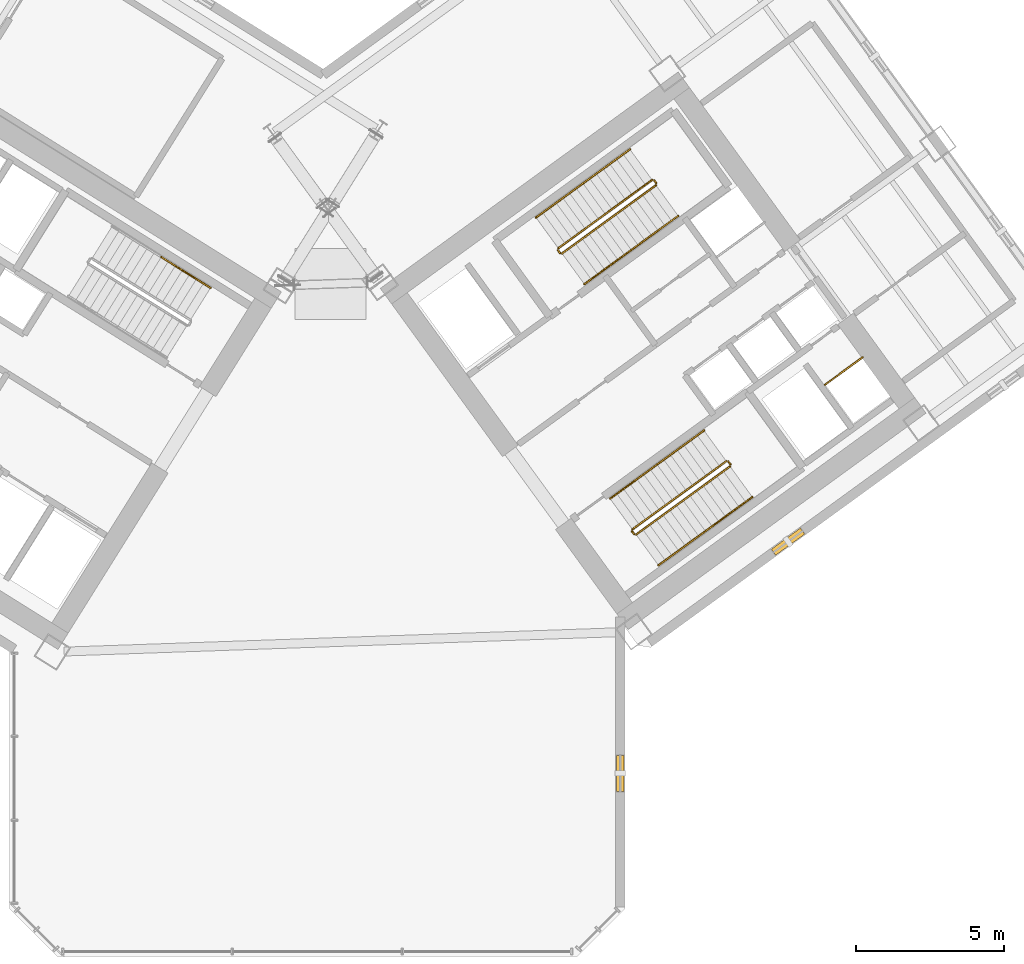
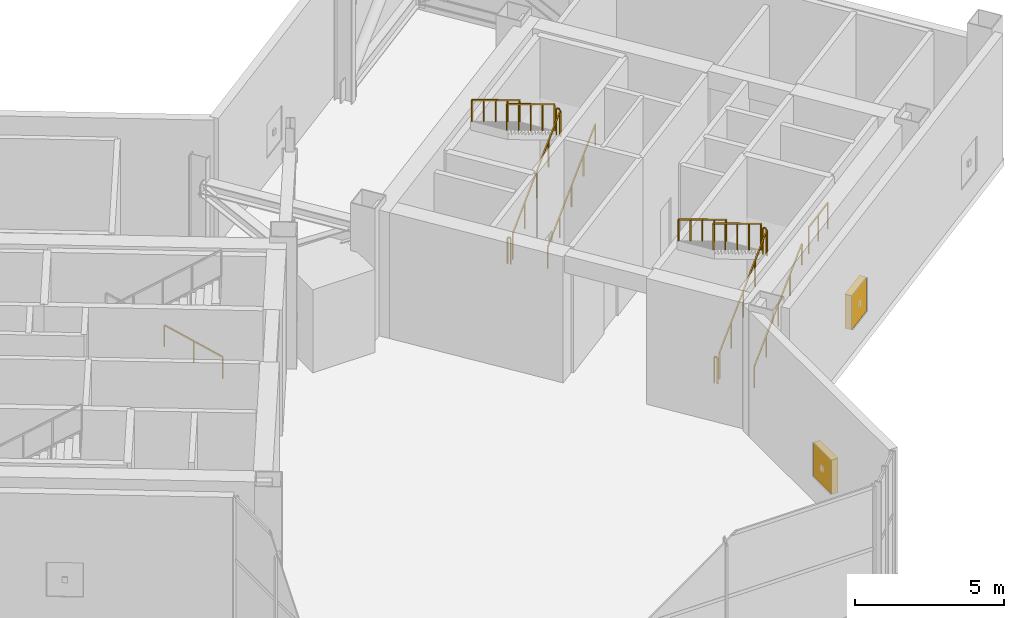
# One storey, part 20 of 21: 18 railings, 2 shading devices.
"""IFC4 building model written with IfcOpenShell, lengths in metres."""

from ifc_helpers import new_model, si_unit, direction, frame, origin, origin_2d, place, context, subcontext, project, spatial, rectangle, extrude, source, transform, mapped, material, type_object, element, save


model = new_model("IFC4")

# Units and contexts
model_context = context("Model", 3, precision=1e-05, world=origin(), true_north=direction((0.0, 1.0)))
body_context = subcontext(model_context, "Body", "Model", "MODEL_VIEW")
ifc_project = project(units=[si_unit("LENGTHUNIT", "METRE"), si_unit("AREAUNIT", "SQUARE_METRE"), si_unit("VOLUMEUNIT", "CUBIC_METRE"), si_unit("PLANEANGLEUNIT", "RADIAN"), si_unit("MASSUNIT", "GRAM", prefix="KILO")], contexts=[model_context])

# Site, building, storey
site_placement = place(None, origin())
site = spatial("IfcSite", under=ifc_project, at=site_placement, CompositionType="ELEMENT")
building_placement = place(site_placement, origin())
building = spatial("IfcBuilding", under=site, at=building_placement, Name="Tlacorven Tower", CompositionType="ELEMENT")
storey_placement = place(building_placement, frame((0.0, 0.0, 84.60009765625)))
storey = spatial("IfcBuildingStorey", under=building, at=storey_placement, Name="L21", CompositionType="ELEMENT", Elevation=84.60009765625)

# Railing
ifc_material_1 = material(Name="Aluminium and painted steel balustrade", Category="steel")
railing_type_1 = type_object("IfcRailingType", Name="RL-GRD-1100", PredefinedType="GUARDRAIL", material=ifc_material_1)
shared_shape_1 = source(origin(), body_context, "Body", "SweptSolid", [
    extrude(rectangle(XDim=0.048095703125, YDim=0.048095703125, at=origin_2d()), frame((0.0, 0.0, 1.076171875), z_axis=(0.809029975545, 0.58776738483, 0.0), x_axis=(-0.58776738483, 0.809029975545, 0.0)), (0.0, 0.0, 1.0), 1.580078125),
    extrude(rectangle(XDim=0.0419921875, YDim=0.0419921875, at=origin_2d()), origin(), (0.0, 0.0, 1.0), 1.052001953125),
    extrude(rectangle(XDim=0.0419921875, YDim=0.0419921875, at=origin_2d()), frame((0.63916015625, 0.46435546875, 0.0)), (0.0, 0.0, 1.0), 1.052001953125),
    extrude(rectangle(XDim=0.0419921875, YDim=0.0419921875, at=origin_2d()), frame((1.2783203125, 0.9287109375, 0.0)), (0.0, 0.0, 1.0), 1.052001953125),
])
railing_1_placement = place(storey_placement, frame((59.160888671875, 21.122314453125, 0.0)))
element("IfcRailing", 1, at=railing_1_placement, inside=storey, type_object=railing_type_1, Name="L21 Smoke Riser E Shaft Guard 1", PredefinedType="GUARDRAIL", context=body_context, shape_type="MappedRepresentation", body=[
    mapped(shared_shape_1, transform((0.0, 0.0, 0.0), scale=1.0)),
])

# Shading devices
ifc_material_2 = material(Name="Anodised bronze aluminium acoustic louvre", Category="aluminium")
shading_device_type = type_object("IfcShadingDeviceType", Name="SH-LVR-WND", PredefinedType="JALOUSIE", material=ifc_material_2)
shared_shape_2 = source(origin(), body_context, "Body", "SweptSolid", [
    extrude(rectangle(XDim=1.2099609375, YDim=0.25, at=origin_2d()), origin(), (0.0, 0.0, 1.0), 1.39990234375),
])
for number, where, z_axis, x_axis, name in (
    (2, (57.912109375, 15.814697265625, 0.949951171875), (0.0, 0.0, 1.0), (-0.809016829126, -0.587785479738, 0.0), "L21 Storm-Resistant Acoustic Louvre Bank 6.2"),
    (3, (52.239990234375, 7.984619140625, 0.949951171875), (0.0, 0.0, 1.0), (0.0, -1.0, 0.0), "L21 Storm-Resistant Acoustic Louvre Bank 7.1"),
):
    element("IfcShadingDevice", number, at=place(storey_placement, frame(where, z_axis=z_axis, x_axis=x_axis)), inside=storey, type_object=shading_device_type, Name=name, PredefinedType="JALOUSIE", context=body_context, shape_type="MappedRepresentation", body=[
        mapped(shared_shape_2, transform((0.0, 0.0, 0.0), scale=1.0)),
    ])

# Railings
railing_type_2 = type_object("IfcRailingType", Name="RL-HND-0900", PredefinedType="HANDRAIL", material=ifc_material_1)
shared_shape_3 = source(origin(), body_context, "Body", "SweptSolid", [
    extrude(rectangle(XDim=0.048095703125, YDim=0.048095703125, at=origin_2d()), frame((0.0, 0.0, 0.8759765625), z_axis=(-0.713405181892, 0.445707981167, 0.540737868078), x_axis=(-0.529853385765, -0.848089258034, 0.0)), (0.0, 0.0, 1.0), 2.330078125),
    extrude(rectangle(XDim=0.0419921875, YDim=0.0419921875, at=origin_2d()), origin(), (0.0, 0.0, 1.0), 0.851806640625),
    extrude(rectangle(XDim=0.0419921875, YDim=0.0419921875, at=origin_2d()), frame((-0.8310546875, 0.519287109375, 0.6298828125)), (0.0, 0.0, 1.0), 0.851806640625),
    extrude(rectangle(XDim=0.0419921875, YDim=0.0419921875, at=origin_2d()), frame((-1.662353515625, 1.03857421875, 1.260009765625)), (0.0, 0.0, 1.0), 0.851806640625),
])
railing_2_placement = place(storey_placement, frame((38.390625, 24.39501953125, 0.179931640625)))
element("IfcRailing", 4, at=railing_2_placement, inside=storey, type_object=railing_type_2, Name="L21 ST-W2 stair handrail 1", PredefinedType="HANDRAIL", context=body_context, shape_type="MappedRepresentation", body=[
    mapped(shared_shape_3, transform((0.0, 0.0, 0.0), scale=1.0)),
])
shared_shape_4 = source(origin(), body_context, "Body", "SweptSolid", [
    extrude(rectangle(XDim=0.048095703125, YDim=0.048095703125, at=origin_2d()), frame((0.0, 0.0, 1.076171875), z_axis=(-0.587567097037, 0.809175448515, 0.0), x_axis=(-0.809175448515, -0.587567097037, 0.0)), (0.0, 0.0, 1.0), 0.1201171875),
    extrude(rectangle(XDim=0.0419921875, YDim=0.0419921875, at=origin_2d()), origin(), (0.0, 0.0, 1.0), 1.052001953125),
    extrude(rectangle(XDim=0.0419921875, YDim=0.0419921875, at=origin_2d()), frame((-0.070556640625, 0.09716796875, 0.0)), (0.0, 0.0, 1.0), 1.052001953125),
])
for number, where, name in (
    (5, (53.459716796875, 27.931640625, 2.699951171875), "L21 ST-E1 stair guard 2"),
    (6, (52.71142578125, 16.065673828125, 0.0), "L21 ST-E2 stair guard 4"),
):
    element("IfcRailing", number, at=place(storey_placement, frame(where)), inside=storey, type_object=railing_type_1, Name=name, PredefinedType="GUARDRAIL", context=body_context, shape_type="MappedRepresentation", body=[
        mapped(shared_shape_4, transform((0.0, 0.0, 0.0), scale=1.0)),
    ])
shared_shape_5 = source(origin(), body_context, "Body", "SweptSolid", [
    extrude(rectangle(XDim=0.048095703125, YDim=0.048095703125, at=origin_2d()), frame((0.0, 0.0, 1.076171875), z_axis=(-0.587201422542, 0.809440849824, 0.0), x_axis=(-0.809440849824, -0.587201422542, 0.0)), (0.0, 0.0, 1.0), 0.11962890625),
    extrude(rectangle(XDim=0.0419921875, YDim=0.0419921875, at=origin_2d()), origin(), (0.0, 0.0, 1.0), 1.052001953125),
    extrude(rectangle(XDim=0.0419921875, YDim=0.0419921875, at=origin_2d()), frame((-0.0703125, 0.096923828125, 0.0)), (0.0, 0.0, 1.0), 1.052001953125),
])
railing_3_placement = place(storey_placement, frame((50.207275390625, 25.56884765625, 0.0)))
element("IfcRailing", 7, at=railing_3_placement, inside=storey, type_object=railing_type_1, Name="L21 ST-E1 stair guard 4", PredefinedType="GUARDRAIL", context=body_context, shape_type="MappedRepresentation", body=[
    mapped(shared_shape_5, transform((0.0, 0.0, 0.0), scale=1.0)),
])
shared_shape_6 = source(origin(), body_context, "Body", "SweptSolid", [
    extrude(rectangle(XDim=0.048095703125, YDim=0.048095703125, at=origin_2d()), frame((0.0, 0.0, 1.076171875), z_axis=(0.680514408703, 0.494419468391, 0.540786028688), x_axis=(-0.587782769792, 0.809018798011, 0.0)), (0.0, 0.0, 1.0), 4.659912109375),
    extrude(rectangle(XDim=0.0419921875, YDim=0.0419921875, at=origin_2d()), origin(), (0.0, 0.0, 1.0), 1.052001953125),
    extrude(rectangle(XDim=0.0419921875, YDim=0.0419921875, at=origin_2d()), frame((0.792724609375, 0.575927734375, 0.6298828125)), (0.0, 0.0, 1.0), 1.052001953125),
    extrude(rectangle(XDim=0.0419921875, YDim=0.0419921875, at=origin_2d()), frame((1.58544921875, 1.15185546875, 1.260009765625)), (0.0, 0.0, 1.0), 1.052001953125),
    extrude(rectangle(XDim=0.0419921875, YDim=0.0419921875, at=origin_2d()), frame((2.37841796875, 1.72802734375, 1.89013671875)), (0.0, 0.0, 1.0), 1.052001953125),
    extrude(rectangle(XDim=0.0419921875, YDim=0.0419921875, at=origin_2d()), frame((3.171142578125, 2.303955078125, 2.52001953125)), (0.0, 0.0, 1.0), 1.052001953125),
])
railing_4_placement = place(storey_placement, frame((50.27734375, 25.557861328125, 0.179931640625)))
element("IfcRailing", 8, at=railing_4_placement, inside=storey, type_object=railing_type_1, Name="L21 ST-E1 stair guard 1", PredefinedType="GUARDRAIL", context=body_context, shape_type="MappedRepresentation", body=[
    mapped(shared_shape_6, transform((0.0, 0.0, 0.0), scale=1.0)),
])
shared_shape_7 = source(origin(), body_context, "Body", "SweptSolid", [
    extrude(rectangle(XDim=0.048095703125, YDim=0.048095703125, at=origin_2d()), frame((0.0, 0.0, 1.076171875), z_axis=(-0.680542536252, -0.494401841002, 0.540766748206), x_axis=(0.587753152711, -0.809040315113, 0.0)), (0.0, 0.0, 1.0), 4.66015625),
    extrude(rectangle(XDim=0.0419921875, YDim=0.0419921875, at=origin_2d()), origin(), (0.0, 0.0, 1.0), 1.052001953125),
    extrude(rectangle(XDim=0.0419921875, YDim=0.0419921875, at=origin_2d()), frame((-0.79296875, -0.575927734375, 0.6298828125)), (0.0, 0.0, 1.0), 1.052001953125),
    extrude(rectangle(XDim=0.0419921875, YDim=0.0419921875, at=origin_2d()), frame((-1.585693359375, -1.15185546875, 1.260009765625)), (0.0, 0.0, 1.0), 1.052001953125),
    extrude(rectangle(XDim=0.0419921875, YDim=0.0419921875, at=origin_2d()), frame((-2.37841796875, -1.72802734375, 1.89013671875)), (0.0, 0.0, 1.0), 1.052001953125),
    extrude(rectangle(XDim=0.0419921875, YDim=0.0419921875, at=origin_2d()), frame((-3.17138671875, -2.303955078125, 2.52001953125)), (0.0, 0.0, 1.0), 1.052001953125),
])
for number, where, name in (
    (9, (53.3193359375, 28.039794921875, 2.8798828125), "L21 ST-E1 stair guard 3"),
    (10, (55.8232421875, 18.53662109375, 2.8798828125), "L21 ST-E2 stair guard 3"),
):
    element("IfcRailing", number, at=place(storey_placement, frame(where)), inside=storey, type_object=railing_type_1, Name=name, PredefinedType="GUARDRAIL", context=body_context, shape_type="MappedRepresentation", body=[
        mapped(shared_shape_7, transform((0.0, 0.0, 0.0), scale=1.0)),
    ])
shared_shape_8 = source(origin(), body_context, "Body", "SweptSolid", [
    extrude(rectangle(XDim=0.048095703125, YDim=0.048095703125, at=origin_2d()), frame((0.0, 0.0, 0.8759765625), z_axis=(0.680524908878, 0.494441423402, 0.540752741297), x_axis=(-0.587793916777, 0.809010699188, 0.0)), (0.0, 0.0, 1.0), 2.330078125),
    extrude(rectangle(XDim=0.0419921875, YDim=0.0419921875, at=origin_2d()), origin(), (0.0, 0.0, 1.0), 0.851806640625),
    extrude(rectangle(XDim=0.0419921875, YDim=0.0419921875, at=origin_2d()), frame((0.79296875, 0.576171875, 0.6298828125)), (0.0, 0.0, 1.0), 0.851806640625),
    extrude(rectangle(XDim=0.0419921875, YDim=0.0419921875, at=origin_2d()), frame((1.585693359375, 1.152099609375, 1.260009765625)), (0.0, 0.0, 1.0), 0.851806640625),
])
for number, where, name in (
    (11, (51.029541015625, 24.522216796875, 0.179931640625), "L21 ST-E1 stair handrail 1"),
    (12, (52.615234375, 25.67431640625, 1.43994140625), "L21 ST-E1 stair handrail 2"),
    (13, (53.53369140625, 15.01904296875, 0.179931640625), "L21 ST-E2 stair handrail 1"),
):
    element("IfcRailing", number, at=place(storey_placement, frame(where)), inside=storey, type_object=railing_type_2, Name=name, PredefinedType="HANDRAIL", context=body_context, shape_type="MappedRepresentation", body=[
        mapped(shared_shape_8, transform((0.0, 0.0, 0.0), scale=1.0)),
    ])
shared_shape_9 = source(origin(), body_context, "Body", "SweptSolid", [
    extrude(rectangle(XDim=0.048095703125, YDim=0.048095703125, at=origin_2d()), frame((0.0, 0.0, 0.8759765625), z_axis=(-0.680524908878, -0.494441423402, 0.540752741297), x_axis=(0.587793916777, -0.809010699188, 0.0)), (0.0, 0.0, 1.0), 2.330078125),
    extrude(rectangle(XDim=0.0419921875, YDim=0.0419921875, at=origin_2d()), origin(), (0.0, 0.0, 1.0), 0.851806640625),
    extrude(rectangle(XDim=0.0419921875, YDim=0.0419921875, at=origin_2d()), frame((-0.79296875, -0.576171875, 0.6298828125)), (0.0, 0.0, 1.0), 0.851806640625),
    extrude(rectangle(XDim=0.0419921875, YDim=0.0419921875, at=origin_2d()), frame((-1.585693359375, -1.152099609375, 1.260009765625)), (0.0, 0.0, 1.0), 0.851806640625),
])
for number, where, name in (
    (14, (52.56689453125, 29.075439453125, 2.8798828125), "L21 ST-E1 stair handrail 3"),
    (15, (50.981201171875, 27.92333984375, 4.139892578125), "L21 ST-E1 stair handrail 4"),
    (16, (53.4853515625, 18.420166015625, 4.139892578125), "L21 ST-E2 stair handrail 4"),
):
    element("IfcRailing", number, at=place(storey_placement, frame(where)), inside=storey, type_object=railing_type_2, Name=name, PredefinedType="HANDRAIL", context=body_context, shape_type="MappedRepresentation", body=[
        mapped(shared_shape_9, transform((0.0, 0.0, 0.0), scale=1.0)),
    ])
shared_shape_10 = source(origin(), body_context, "Body", "SweptSolid", [
    extrude(rectangle(XDim=0.048095703125, YDim=0.048095703125, at=origin_2d()), frame((0.0, 0.0, 1.076171875), z_axis=(0.680542536252, 0.494401841002, 0.540766748206), x_axis=(-0.587753152711, 0.809040315113, 0.0)), (0.0, 0.0, 1.0), 4.66015625),
    extrude(rectangle(XDim=0.0419921875, YDim=0.0419921875, at=origin_2d()), origin(), (0.0, 0.0, 1.0), 1.052001953125),
    extrude(rectangle(XDim=0.0419921875, YDim=0.0419921875, at=origin_2d()), frame((0.79296875, 0.575927734375, 0.6298828125)), (0.0, 0.0, 1.0), 1.052001953125),
    extrude(rectangle(XDim=0.0419921875, YDim=0.0419921875, at=origin_2d()), frame((1.585693359375, 1.15185546875, 1.260009765625)), (0.0, 0.0, 1.0), 1.052001953125),
    extrude(rectangle(XDim=0.0419921875, YDim=0.0419921875, at=origin_2d()), frame((2.37841796875, 1.72802734375, 1.89013671875)), (0.0, 0.0, 1.0), 1.052001953125),
    extrude(rectangle(XDim=0.0419921875, YDim=0.0419921875, at=origin_2d()), frame((3.17138671875, 2.303955078125, 2.52001953125)), (0.0, 0.0, 1.0), 1.052001953125),
])
railing_5_placement = place(storey_placement, frame((52.78125, 16.0546875, 0.179931640625)))
element("IfcRailing", 17, at=railing_5_placement, inside=storey, type_object=railing_type_1, Name="L21 ST-E2 stair guard 1", PredefinedType="GUARDRAIL", context=body_context, shape_type="MappedRepresentation", body=[
    mapped(shared_shape_10, transform((0.0, 0.0, 0.0), scale=1.0)),
])
shared_shape_11 = source(origin(), body_context, "Body", "SweptSolid", [
    extrude(rectangle(XDim=0.048095703125, YDim=0.048095703125, at=origin_2d()), frame((0.0, 0.0, 1.076171875), z_axis=(-0.588534897514, 0.808471814232, 0.0), x_axis=(-0.808471814232, -0.588534897514, 0.0)), (0.0, 0.0, 1.0), 0.119873046875),
    extrude(rectangle(XDim=0.0419921875, YDim=0.0419921875, at=origin_2d()), origin(), (0.0, 0.0, 1.0), 1.052001953125),
    extrude(rectangle(XDim=0.0419921875, YDim=0.0419921875, at=origin_2d()), frame((-0.070556640625, 0.096923828125, 0.0)), (0.0, 0.0, 1.0), 1.052001953125),
])
railing_6_placement = place(storey_placement, frame((55.963623046875, 18.4287109375, 2.699951171875)))
element("IfcRailing", 18, at=railing_6_placement, inside=storey, type_object=railing_type_1, Name="L21 ST-E2 stair guard 2", PredefinedType="GUARDRAIL", context=body_context, shape_type="MappedRepresentation", body=[
    mapped(shared_shape_11, transform((0.0, 0.0, 0.0), scale=1.0)),
])
shared_shape_12 = source(origin(), body_context, "Body", "SweptSolid", [
    extrude(rectangle(XDim=0.048095703125, YDim=0.048095703125, at=origin_2d()), frame((0.0, 0.0, 0.8759765625), z_axis=(0.680468649714, 0.494476679704, 0.540791299842), x_axis=(-0.587853152907, 0.808967657337, 0.0)), (0.0, 0.0, 1.0), 2.329833984375),
    extrude(rectangle(XDim=0.0419921875, YDim=0.0419921875, at=origin_2d()), origin(), (0.0, 0.0, 1.0), 0.851806640625),
    extrude(rectangle(XDim=0.0419921875, YDim=0.0419921875, at=origin_2d()), frame((0.792724609375, 0.576171875, 0.6298828125)), (0.0, 0.0, 1.0), 0.851806640625),
    extrude(rectangle(XDim=0.0419921875, YDim=0.0419921875, at=origin_2d()), frame((1.58544921875, 1.152099609375, 1.260009765625)), (0.0, 0.0, 1.0), 0.851806640625),
])
railing_7_placement = place(storey_placement, frame((55.119384765625, 16.171142578125, 1.43994140625)))
element("IfcRailing", 19, at=railing_7_placement, inside=storey, type_object=railing_type_2, Name="L21 ST-E2 stair handrail 2", PredefinedType="HANDRAIL", context=body_context, shape_type="MappedRepresentation", body=[
    mapped(shared_shape_12, transform((0.0, 0.0, 0.0), scale=1.0)),
])
shared_shape_13 = source(origin(), body_context, "Body", "SweptSolid", [
    extrude(rectangle(XDim=0.048095703125, YDim=0.048095703125, at=origin_2d()), frame((0.0, 0.0, 0.8759765625), z_axis=(-0.680468649714, -0.494476679704, 0.540791299842), x_axis=(0.587853152907, -0.808967657337, 0.0)), (0.0, 0.0, 1.0), 2.329833984375),
    extrude(rectangle(XDim=0.0419921875, YDim=0.0419921875, at=origin_2d()), origin(), (0.0, 0.0, 1.0), 0.851806640625),
    extrude(rectangle(XDim=0.0419921875, YDim=0.0419921875, at=origin_2d()), frame((-0.792724609375, -0.576171875, 0.6298828125)), (0.0, 0.0, 1.0), 0.851806640625),
    extrude(rectangle(XDim=0.0419921875, YDim=0.0419921875, at=origin_2d()), frame((-1.58544921875, -1.152099609375, 1.260009765625)), (0.0, 0.0, 1.0), 0.851806640625),
])
railing_8_placement = place(storey_placement, frame((55.07080078125, 19.572265625, 2.8798828125)))
element("IfcRailing", 20, at=railing_8_placement, inside=storey, type_object=railing_type_2, Name="L21 ST-E2 stair handrail 3", PredefinedType="HANDRAIL", context=body_context, shape_type="MappedRepresentation", body=[
    mapped(shared_shape_13, transform((0.0, 0.0, 0.0), scale=1.0)),
])

save(model, "model.ifc")
